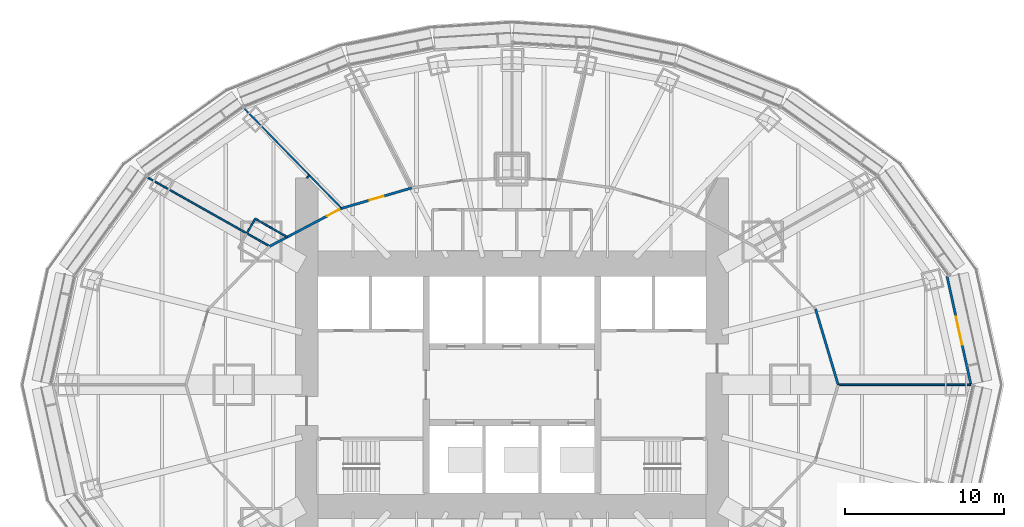
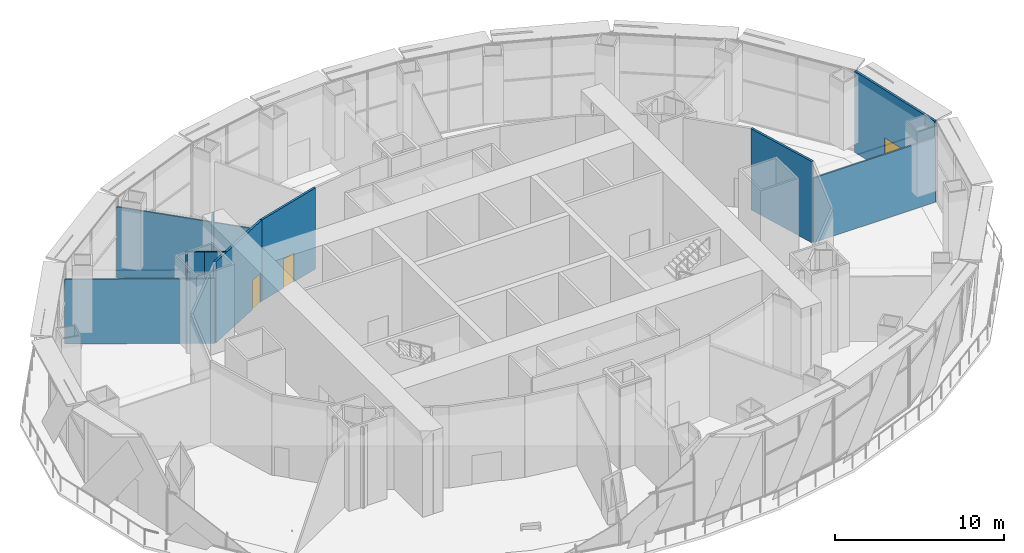
# One storey, part 13 of 21: 11 walls, 3 doors, 3 openings.
"""IFC4 building model written with IfcOpenShell, lengths in metres."""

import ifcopenshell
import ifcopenshell.guid

model = None  # the IFC model being written
_history = None  # IfcOwnerHistory: only IFC2X3 demands one
_inside = {}  # id of a spatial element -> (the spatial element, [elements in it])
_under = {}  # id of a project, library or spatial element -> (it, [spatial elements below it])
_declared = {}  # id of a project -> (the project, [libraries it declares])
_typed = {}  # id of a type object -> (the type object, [elements of that type])
_made_of = {}  # id of a material, layer set ... -> (it, [elements and type objects made of it])


def new_model(schema):
    """Start an empty IFC model of exactly this schema.

    Asked for "IFC4X3", IfcOpenShell would pick the latest addendum, in which some entities
    have other attributes; the version numbers below select the first issue.
    IFC2X3 requires an IfcOwnerHistory on every rooted entity: one is made here for all.
    """
    global model, _history
    if schema == "IFC4X3":
        model = ifcopenshell.file(schema_version=(4, 3, 0, 0))
    else:
        model = ifcopenshell.file(schema=schema)
    _inside.clear()
    _under.clear()
    _declared.clear()
    _typed.clear()
    _made_of.clear()
    _history = None
    if model.schema == "IFC2X3":
        org = make("IfcOrganization", Name="unknown")
        user = make(
            "IfcPersonAndOrganization",
            ThePerson=make("IfcPerson", FamilyName="unknown"),
            TheOrganization=org,
        )
        app = make(
            "IfcApplication",
            ApplicationDeveloper=org,
            Version="unknown",
            ApplicationFullName="unknown",
            ApplicationIdentifier="unknown",
        )
        _history = make(
            "IfcOwnerHistory",
            OwningUser=user,
            OwningApplication=app,
            ChangeAction="ADDED",
            CreationDate=0,
        )
    return model


def make(cls, **values):
    """One entity of the class cls with the attributes given. An attribute that is None is left unset."""
    return model.create_entity(
        cls, **{name: value for name, value in values.items() if value is not None}
    )


def rooted(cls, **values):
    """An entity with a GlobalId (a new one), such as an element, a storey or a relation."""
    return make(cls, GlobalId=ifcopenshell.guid.new(), OwnerHistory=_history, **values)


def si_unit(unit_type, name, prefix=None):
    """IfcSIUnit, for example si_unit("LENGTHUNIT", "METRE", prefix="MILLI")."""
    return make("IfcSIUnit", UnitType=unit_type, Prefix=prefix, Name=name)


def assignment(units):
    """IfcUnitAssignment: the units of a project."""
    return None if units is None else make("IfcUnitAssignment", Units=units)


def point(xyz):
    """IfcCartesianPoint."""
    return None if xyz is None else make("IfcCartesianPoint", Coordinates=xyz)


def direction(xyz):
    """IfcDirection."""
    return None if xyz is None else make("IfcDirection", DirectionRatios=xyz)


def frame(location, z_axis=None, x_axis=None):
    """IfcAxis2Placement3D, a coordinate frame: its origin and axes. An axis left out is left unset."""
    return make(
        "IfcAxis2Placement3D",
        Location=point(location),
        Axis=direction(z_axis),
        RefDirection=direction(x_axis),
    )


def frame_2d(location, x_axis=None):
    """IfcAxis2Placement2D, a coordinate frame in the plane: its origin and x axis."""
    return make(
        "IfcAxis2Placement2D", Location=point(location), RefDirection=direction(x_axis)
    )


def origin():
    """The frame at (0, 0, 0) with its axes left unset."""
    return frame((0.0, 0.0, 0.0))


def place(relative_to, where):
    """IfcLocalPlacement: puts the frame where relative to a parent placement (None: the world)."""
    return make(
        "IfcLocalPlacement", PlacementRelTo=relative_to, RelativePlacement=where
    )


def context(
    kind, dimensions, precision=None, world=None, true_north=None, identifier=None
):
    """IfcGeometricRepresentationContext, for example the 3D "Model" context."""
    return make(
        "IfcGeometricRepresentationContext",
        ContextIdentifier=identifier,
        ContextType=kind,
        CoordinateSpaceDimension=dimensions,
        Precision=precision,
        WorldCoordinateSystem=world,
        TrueNorth=true_north,
    )


def subcontext(parent, identifier, kind, view, scale=None):
    """IfcGeometricRepresentationSubContext, for example "Body" below "Model"."""
    return make(
        "IfcGeometricRepresentationSubContext",
        ContextIdentifier=identifier,
        ContextType=kind,
        ParentContext=parent,
        TargetScale=scale,
        TargetView=view,
    )


def project(units=None, contexts=None):
    """IfcProject with its units and contexts."""
    return rooted(
        "IfcProject",
        Name="project",
        RepresentationContexts=contexts,
        UnitsInContext=assignment(units),
    )


def spatial(cls, under=None, at=None, **own):
    """A site, building, storey or space (cls), placed at a placement, below another one or the project."""
    s = rooted(cls, ObjectPlacement=at, **own)
    if under is not None:
        _under.setdefault(under.id(), (under, []))[1].append(s)
    return s


def profile(cls, at=None, kind="AREA", **sizes):
    """A parametric profile (cls). Its sizes go by their IFC names, for example OverallWidth=200.0."""
    return make(cls, ProfileType=kind, Position=at, **sizes)


def rectangle(**sizes):
    """IfcRectangleProfileDef."""
    return profile("IfcRectangleProfileDef", **sizes)


def extrude(swept, where, along, depth):
    """IfcExtrudedAreaSolid: the profile swept, set in the frame where, extruded along a direction by depth."""
    return make(
        "IfcExtrudedAreaSolid",
        SweptArea=swept,
        Position=where,
        ExtrudedDirection=direction(along),
        Depth=depth,
    )


def shape(context_of_items, identifier, shape_type, items):
    """IfcShapeRepresentation: the items that make up one representation, for example the "Body"."""
    return make(
        "IfcShapeRepresentation",
        ContextOfItems=context_of_items,
        RepresentationIdentifier=identifier,
        RepresentationType=shape_type,
        Items=items,
    )


def material(Name=None, Category=None):
    """IfcMaterial."""
    return make("IfcMaterial", Name=Name, Category=Category)


def layer(
    of_material, thickness, ventilated=None, Name=None, Category=None, Priority=None
):
    """IfcMaterialLayer: one layer of a wall or slab, of a material (None: an air gap)."""
    return make(
        "IfcMaterialLayer",
        Material=of_material,
        LayerThickness=thickness,
        IsVentilated=ventilated,
        Name=Name,
        Category=Category,
        Priority=Priority,
    )


def layer_set(layers, Name=None):
    """IfcMaterialLayerSet."""
    return make("IfcMaterialLayerSet", MaterialLayers=layers, LayerSetName=Name)


def made_of(thing, what):
    """Note that an element or type object is made of a material, layer set ...; save() writes the relation."""
    if what is not None:
        _made_of.setdefault(what.id(), (what, []))[1].append(thing)
    return thing


def type_object(cls, material=None, **own):
    """A type object (cls), such as IfcWallType, which elements share."""
    return made_of(rooted(cls, **own), material)


def element(
    cls,
    number,
    at=None,
    inside=None,
    cuts=None,
    type_object=None,
    material=None,
    context=None,
    identifier="Body",
    shape_type=None,
    held_by="IfcProductDefinitionShape",
    body=None,
    shapes=None,
    **own,
):
    """One element of the class cls, such as IfcWall. Its Tag is "e" and its number.

    at: its placement. inside: the storey or other place that contains it. cuts: it is an
    opening in that element (IfcRelVoidsElement). A single representation is given by context,
    identifier, shape_type and body (its items); several are given by shapes. held_by: the class
    of the entity that holds the representations. save() writes the other relations.
    """
    e = rooted(cls, Tag="e%d" % number, ObjectPlacement=at, **own)
    if body is not None:
        shapes = [shape(context, identifier, shape_type, body)]
    if shapes is not None:
        e.Representation = make(held_by, Representations=shapes)
    if inside is not None:
        _inside.setdefault(inside.id(), (inside, []))[1].append(e)
    if cuts is not None:
        rooted(
            "IfcRelVoidsElement", RelatingBuildingElement=cuts, RelatedOpeningElement=e
        )
    if type_object is not None:
        _typed.setdefault(type_object.id(), (type_object, []))[1].append(e)
    return made_of(e, material)


def fill(opening, filler):
    """IfcRelFillsElement: the door or window that sits in an opening."""
    return rooted(
        "IfcRelFillsElement",
        RelatingOpeningElement=opening,
        RelatedBuildingElement=filler,
    )


def aggregate(whole, parts):
    """IfcRelAggregates: a whole, such as a stair, and the parts it consists of."""
    return rooted("IfcRelAggregates", RelatingObject=whole, RelatedObjects=parts)


def save(model, path):
    """Write the relations noted so far, then the file.

    IfcRelAggregates (storeys below a building ...), IfcRelContainedInSpatialStructure (elements
    in a storey), IfcRelDefinesByType, IfcRelAssociatesMaterial and IfcRelDeclares: one each for
    every whole, place, type object, material and project.
    """
    for whole, parts in _under.values():
        aggregate(whole, parts)
    for where, things in _inside.values():
        rooted(
            "IfcRelContainedInSpatialStructure",
            RelatedElements=things,
            RelatingStructure=where,
        )
    for kind, things in _typed.values():
        rooted("IfcRelDefinesByType", RelatedObjects=things, RelatingType=kind)
    for what, things in _made_of.values():
        rooted("IfcRelAssociatesMaterial", RelatedObjects=things, RelatingMaterial=what)
    for by, libraries in _declared.values():
        rooted("IfcRelDeclares", RelatingContext=by, RelatedDefinitions=libraries)
    model.write(path)


model = new_model("IFC4")

# Units and contexts
model_context = context("Model", 3, precision=1e-05, world=origin(), true_north=direction((0.0, 1.0)))
body_context = subcontext(model_context, "Body", "Model", "MODEL_VIEW")
ifc_project = project(units=[si_unit("LENGTHUNIT", "METRE"), si_unit("AREAUNIT", "SQUARE_METRE"), si_unit("VOLUMEUNIT", "CUBIC_METRE"), si_unit("PLANEANGLEUNIT", "RADIAN"), si_unit("MASSUNIT", "GRAM", prefix="KILO")], contexts=[model_context])

# Site, building, storey
site_placement = place(None, origin())
site = spatial("IfcSite", under=ifc_project, at=site_placement, CompositionType="ELEMENT")
building_placement = place(site_placement, origin())
building = spatial("IfcBuilding", under=site, at=building_placement, Name="Lantaw Convention Tower", CompositionType="ELEMENT")
storey_placement = place(building_placement, frame((0.0, 0.0, 111.39990234375)))
storey = spatial("IfcBuildingStorey", under=building, at=storey_placement, Name="L26", CompositionType="ELEMENT", Elevation=111.39990234375)

# Walls
ifc_material_1 = material(Name="Fire-rated board casing on steel studs", Category="steel")
ifc_layer_1 = layer(ifc_material_1, 0.10009765625)
ifc_layer_set_1 = layer_set([ifc_layer_1], Name="Casing wall 100 EI 120")
wall_type_1 = type_object("IfcWallType", Name="Casing wall 100 EI 120", PredefinedType="PARTITIONING", material=ifc_layer_set_1)
for number, where, z_axis, x_axis, name in (
    (1, (-16.66162109375, 9.52099609375, 0.0), (0.0, 0.0, 1.0), (0.496189017888, 0.868214523334, 0.0), "Casing wall 100"),
    (2, (-16.140625, 10.4326171875, 0.0), (0.0, 0.0, 1.0), (0.868214523334, -0.496189017888, 0.0), "Casing wall 100"),
):
    element("IfcWall", number, at=place(storey_placement, frame(where, z_axis=z_axis, x_axis=x_axis)), inside=storey, type_object=wall_type_1, Name=name, PredefinedType="PARTITIONING", context=body_context, shape_type="SweptSolid", body=[
        extrude(rectangle(XDim=1.050048828125, YDim=0.10009765625, at=frame_2d((0.52490234375, 0.0))), origin(), (0.0, 0.0, 1.0), 5.85009765625),
    ])
wall_1_placement = place(storey_placement, frame((-15.22900390625, 9.91162109375, 0.0), z_axis=(0.0, 0.0, 1.0), x_axis=(0.868290539594, -0.496055983587, 0.0)))
element("IfcWall", 3, at=wall_1_placement, inside=storey, type_object=wall_type_1, Name="Casing wall 100", PredefinedType="PARTITIONING", context=body_context, shape_type="SweptSolid", body=[
    extrude(rectangle(XDim=1.267822265625, YDim=0.10009765625, at=frame_2d((0.6337890625, 0.0))), origin(), (0.0, 0.0, 1.0), 5.85009765625),
])
ifc_material_2 = material(Name="Gypsum board on steel studs, fire rated", Category="steel")
ifc_layer_2 = layer(ifc_material_2, 0.14990234375)
ifc_layer_set_2 = layer_set([ifc_layer_2], Name="Corridor wall 150 EI 60")
wall_type_2 = type_object("IfcWallType", Name="Corridor wall 150 EI 60", PredefinedType="PARTITIONING", material=ifc_layer_set_2)
wall_2_placement = place(storey_placement, frame((20.5, 0.0, 0.0), z_axis=(0.0, 0.0, 1.0), x_axis=(-0.286346182056, 0.958126225516, 0.0)))
element("IfcWall", 4, at=wall_2_placement, inside=storey, type_object=wall_type_2, Name="Corridor wall 150", PredefinedType="PARTITIONING", context=body_context, shape_type="SweptSolid", body=[
    extrude(rectangle(XDim=4.96484375, YDim=0.14990234375, at=frame_2d((2.482421875, 0.0))), origin(), (0.0, 0.0, 1.0), 5.85009765625),
])

# Wall, opening, door
wall_3_placement = place(storey_placement, frame((-6.302978515625, 12.370361328125, 0.0), z_axis=(0.0, 0.0, 1.0), x_axis=(-0.96001728753, -0.279940721659, 0.0)))
wall_3 = element("IfcWall", 5, at=wall_3_placement, inside=storey, type_object=wall_type_2, Name="Corridor wall 150", PredefinedType="PARTITIONING", context=body_context, shape_type="SweptSolid", body=[
    extrude(rectangle(XDim=4.58642578125, YDim=0.14990234375, at=frame_2d((2.293212890625, 0.0))), origin(), (0.0, 0.0, 1.0), 5.85009765625),
])
opening_1_placement = place(wall_3_placement, frame((1.84326171875, 0.0, 0.0)))
opening_1 = element("IfcOpeningElement", 6, at=opening_1_placement, cuts=wall_3, Name="Opening L26.29", PredefinedType="OPENING", context=body_context, shape_type="SweptSolid", body=[
    extrude(rectangle(XDim=0.89990234375, YDim=2.10009765625, at=frame_2d((0.449951171875, 1.050048828125))), frame((0.0, 0.0849609375, 0.0), z_axis=(0.0, -1.0, 0.0), x_axis=(1.0, 0.0, 0.0)), (0.0, 0.0, 1.0), 0.169921875),
])
ifc_material_3 = material(Name="Steel, fire rated", Category="steel")
door_type_1 = type_object("IfcDoorType", Name="Office door 900 FD30", OperationType="SINGLE_SWING_LEFT", PredefinedType="DOOR", material=ifc_material_3)
door_1_placement = place(opening_1_placement, origin())
door_1 = element("IfcDoor", 7, at=door_1_placement, inside=storey, type_object=door_type_1, Name="Quiet room door", OperationType="SINGLE_SWING_LEFT", OverallHeight=2.10009765625, OverallWidth=0.89990234375, PredefinedType="DOOR", context=body_context, shape_type="SweptSolid", body=[
    extrude(rectangle(XDim=0.89990234375, YDim=2.10009765625, at=frame_2d((0.449951171875, 1.050048828125))), frame((0.0, 0.02490234375, 0.0), z_axis=(0.0, -1.0, 0.0), x_axis=(1.0, 0.0, 0.0)), (0.0, 0.0, 1.0), 0.050048828125),
])
fill(opening_1, door_1)

wall_4_placement = place(storey_placement, frame((-10.7060546875, 11.08642578125, 0.0), z_axis=(0.0, 0.0, 1.0), x_axis=(-0.884643590306, -0.466267860924, 0.0)))
wall_4 = element("IfcWall", 8, at=wall_4_placement, inside=storey, type_object=wall_type_2, Name="Corridor wall 150", PredefinedType="PARTITIONING", context=body_context, shape_type="SweptSolid", body=[
    extrude(rectangle(XDim=5.113037109375, YDim=0.14990234375, at=frame_2d((2.556640625, 0.0))), origin(), (0.0, 0.0, 1.0), 5.85009765625),
])
opening_2_placement = place(wall_4_placement, frame((0.14990234375, 0.0, 0.0)))
opening_2 = element("IfcOpeningElement", 9, at=opening_2_placement, cuts=wall_4, Name="Opening L26.30", PredefinedType="OPENING", context=body_context, shape_type="SweptSolid", body=[
    extrude(rectangle(XDim=0.89990234375, YDim=2.10009765625, at=frame_2d((0.449951171875, 1.050048828125))), frame((0.0, 0.0849609375, 0.0), z_axis=(0.0, -1.0, 0.0), x_axis=(1.0, 0.0, 0.0)), (0.0, 0.0, 1.0), 0.169921875),
])
door_2_placement = place(opening_2_placement, origin())
door_2 = element("IfcDoor", 10, at=door_2_placement, inside=storey, type_object=door_type_1, Name="Shower and changing room door", OperationType="SINGLE_SWING_LEFT", OverallHeight=2.10009765625, OverallWidth=0.89990234375, PredefinedType="DOOR", context=body_context, shape_type="SweptSolid", body=[
    extrude(rectangle(XDim=0.89990234375, YDim=2.10009765625, at=frame_2d((0.449951171875, 1.050048828125))), frame((0.0, 0.02490234375, 0.0), z_axis=(0.0, -1.0, 0.0), x_axis=(1.0, 0.0, 0.0)), (0.0, 0.0, 1.0), 0.050048828125),
])
fill(opening_2, door_2)

ifc_material_4 = material(Name="Aluminium framed glazing", Category="aluminium")
ifc_layer_3 = layer(ifc_material_4, 0.14990234375)
ifc_layer_set_3 = layer_set([ifc_layer_3], Name="Glazed entrance screen 150")
wall_type_3 = type_object("IfcWallType", Name="Glazed entrance screen 150", PredefinedType="ELEMENTEDWALL", material=ifc_layer_set_3)
wall_5_placement = place(storey_placement, frame((28.853515625, -0.0322265625, 0.0), z_axis=(0.0, 0.0, 1.0), x_axis=(-0.21553795351, 0.976495463685, 0.0)))
wall_5 = element("IfcWall", 11, at=wall_5_placement, inside=storey, type_object=wall_type_3, Name="Glazed entrance screen", PredefinedType="ELEMENTEDWALL", context=body_context, shape_type="SweptSolid", body=[
    extrude(rectangle(XDim=7.018310546875, YDim=0.14990234375, at=frame_2d((3.50927734375, 0.0))), origin(), (0.0, 0.0, 1.0), 5.85009765625),
])
opening_3_placement = place(wall_5_placement, frame((2.609130859375, 0.0, 0.0)))
opening_3 = element("IfcOpeningElement", 12, at=opening_3_placement, cuts=wall_5, Name="Opening L26.E00", PredefinedType="OPENING", context=body_context, shape_type="SweptSolid", body=[
    extrude(rectangle(XDim=1.800048828125, YDim=2.39990234375, at=frame_2d((0.89990234375, 1.199951171875))), frame((0.0, 0.0849609375, 0.0), z_axis=(0.0, -1.0, 0.0), x_axis=(1.0, 0.0, 0.0)), (0.0, 0.0, 1.0), 0.169921875),
])
ifc_material_5 = material(Name="Aluminium and glass", Category="aluminium")
door_type_2 = type_object("IfcDoorType", Name="Terrace door 1800", OperationType="DOUBLE_DOOR_DOUBLE_SWING", PredefinedType="DOOR", material=ifc_material_5)
door_3_placement = place(opening_3_placement, origin())
door_3 = element("IfcDoor", 13, at=door_3_placement, inside=storey, type_object=door_type_2, Name="Terrace door", OperationType="DOUBLE_DOOR_DOUBLE_SWING", OverallHeight=2.39990234375, OverallWidth=1.800048828125, PredefinedType="DOOR", context=body_context, shape_type="SweptSolid", body=[
    extrude(rectangle(XDim=1.800048828125, YDim=2.39990234375, at=frame_2d((0.89990234375, 1.199951171875))), frame((0.0, 0.02490234375, 0.0), z_axis=(0.0, -1.0, 0.0), x_axis=(1.0, 0.0, 0.0)), (0.0, 0.0, 1.0), 0.050048828125),
])
fill(opening_3, door_3)

# Walls
ifc_material_6 = material(Name="Gypsum board on steel studs, acoustic", Category="steel")
ifc_layer_4 = layer(ifc_material_6, 0.10009765625)
ifc_layer_set_4 = layer_set([ifc_layer_4], Name="Office partition 100")
wall_type_4 = type_object("IfcWallType", Name="Office partition 100", PredefinedType="PARTITIONING", material=ifc_layer_set_4)
wall_6_placement = place(storey_placement, frame((28.82080078125, 0.0, 0.0), z_axis=(0.0, 0.0, 1.0), x_axis=(-1.0, 0.0, 0.0)))
element("IfcWall", 14, at=wall_6_placement, inside=storey, type_object=wall_type_4, Name="Office partition 100", PredefinedType="PARTITIONING", context=body_context, shape_type="SweptSolid", body=[
    extrude(rectangle(XDim=8.32080078125, YDim=0.10009765625, at=frame_2d((4.160400390625, 0.0))), origin(), (0.0, 0.0, 1.0), 4.650146484375),
])
wall_7_placement = place(storey_placement, frame((-16.88232421875, 17.413818359375, 0.0), z_axis=(0.0, 0.0, 1.0), x_axis=(0.698509457669, -0.715600822769, 0.0)))
element("IfcWall", 15, at=wall_7_placement, inside=storey, type_object=wall_type_4, Name="Office partition 100", PredefinedType="PARTITIONING", context=body_context, shape_type="SweptSolid", body=[
    extrude(rectangle(XDim=8.842041015625, YDim=0.10009765625, at=frame_2d((4.4208984375, 0.0))), origin(), (0.0, 0.0, 1.0), 5.12109375),
])
wall_8_placement = place(storey_placement, frame((-22.94921875, 13.05908203125, 0.0), z_axis=(0.0, 0.0, 1.0), x_axis=(0.870889908693, -0.491478144923, 0.0)))
element("IfcWall", 16, at=wall_8_placement, inside=storey, type_object=wall_type_4, Name="Office partition 100", PredefinedType="PARTITIONING", context=body_context, shape_type="SweptSolid", body=[
    extrude(rectangle(XDim=8.864501953125, YDim=0.10009765625, at=frame_2d((4.43212890625, 0.0))), origin(), (0.0, 0.0, 1.0), 4.650146484375),
])
wall_9_placement = place(storey_placement, frame((-12.89990234375, 13.0, 0.0), z_axis=(0.0, 0.0, 1.0), x_axis=(0.715424812506, 0.698689729172, 0.0)))
element("IfcWall", 17, at=wall_9_placement, inside=storey, type_object=wall_type_4, Name="Office partition 100", PredefinedType="PARTITIONING", context=body_context, shape_type="SweptSolid", body=[
    extrude(rectangle(XDim=0.2333984375, YDim=0.10009765625, at=frame_2d((0.11669921875, 0.0))), origin(), (0.0, 0.0, 1.0), 5.85009765625),
])

save(model, "model.ifc")
